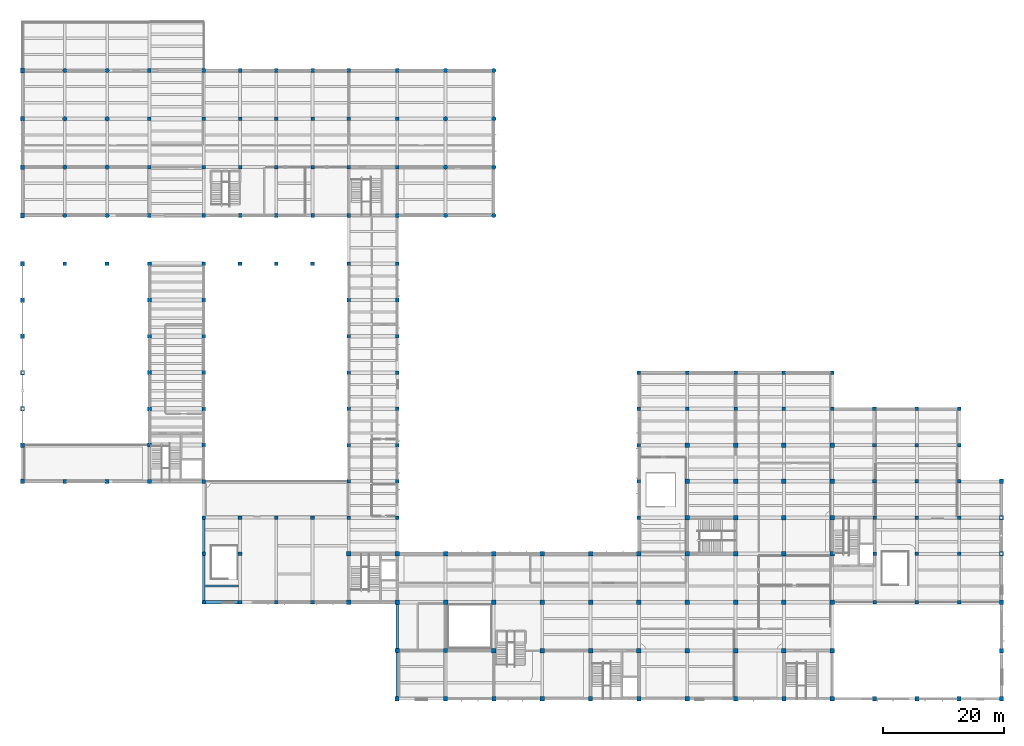
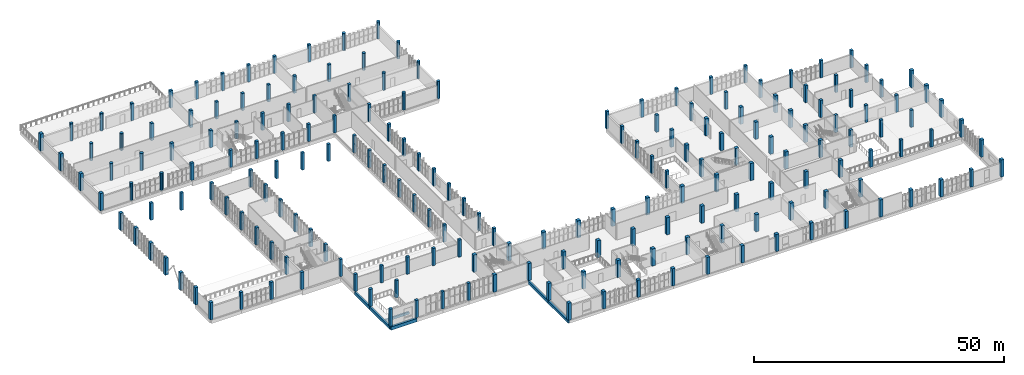
# One storey, part 1 of 85: 196 columns, 6 beams.
"""IFC4 building model written with IfcOpenShell, lengths in metres."""

import ifcopenshell
import ifcopenshell.guid

model = None  # the IFC model being written
_history = None  # IfcOwnerHistory: only IFC2X3 demands one
_inside = {}  # id of a spatial element -> (the spatial element, [elements in it])
_under = {}  # id of a project, library or spatial element -> (it, [spatial elements below it])
_declared = {}  # id of a project -> (the project, [libraries it declares])
_typed = {}  # id of a type object -> (the type object, [elements of that type])
_made_of = {}  # id of a material, layer set ... -> (it, [elements and type objects made of it])


def new_model(schema):
    """Start an empty IFC model of exactly this schema.

    Asked for "IFC4X3", IfcOpenShell would pick the latest addendum, in which some entities
    have other attributes; the version numbers below select the first issue.
    IFC2X3 requires an IfcOwnerHistory on every rooted entity: one is made here for all.
    """
    global model, _history
    if schema == "IFC4X3":
        model = ifcopenshell.file(schema_version=(4, 3, 0, 0))
    else:
        model = ifcopenshell.file(schema=schema)
    _inside.clear()
    _under.clear()
    _declared.clear()
    _typed.clear()
    _made_of.clear()
    _history = None
    if model.schema == "IFC2X3":
        org = make("IfcOrganization", Name="unknown")
        user = make(
            "IfcPersonAndOrganization",
            ThePerson=make("IfcPerson", FamilyName="unknown"),
            TheOrganization=org,
        )
        app = make(
            "IfcApplication",
            ApplicationDeveloper=org,
            Version="unknown",
            ApplicationFullName="unknown",
            ApplicationIdentifier="unknown",
        )
        _history = make(
            "IfcOwnerHistory",
            OwningUser=user,
            OwningApplication=app,
            ChangeAction="ADDED",
            CreationDate=0,
        )
    return model


def make(cls, **values):
    """One entity of the class cls with the attributes given. An attribute that is None is left unset."""
    return model.create_entity(
        cls, **{name: value for name, value in values.items() if value is not None}
    )


def rooted(cls, **values):
    """An entity with a GlobalId (a new one), such as an element, a storey or a relation."""
    return make(cls, GlobalId=ifcopenshell.guid.new(), OwnerHistory=_history, **values)


def si_unit(unit_type, name, prefix=None):
    """IfcSIUnit, for example si_unit("LENGTHUNIT", "METRE", prefix="MILLI")."""
    return make("IfcSIUnit", UnitType=unit_type, Prefix=prefix, Name=name)


def assignment(units):
    """IfcUnitAssignment: the units of a project."""
    return None if units is None else make("IfcUnitAssignment", Units=units)


def point(xyz):
    """IfcCartesianPoint."""
    return None if xyz is None else make("IfcCartesianPoint", Coordinates=xyz)


def direction(xyz):
    """IfcDirection."""
    return None if xyz is None else make("IfcDirection", DirectionRatios=xyz)


def frame(location, z_axis=None, x_axis=None):
    """IfcAxis2Placement3D, a coordinate frame: its origin and axes. An axis left out is left unset."""
    return make(
        "IfcAxis2Placement3D",
        Location=point(location),
        Axis=direction(z_axis),
        RefDirection=direction(x_axis),
    )


def frame_2d(location, x_axis=None):
    """IfcAxis2Placement2D, a coordinate frame in the plane: its origin and x axis."""
    return make(
        "IfcAxis2Placement2D", Location=point(location), RefDirection=direction(x_axis)
    )


def origin():
    """The frame at (0, 0, 0) with its axes left unset."""
    return frame((0.0, 0.0, 0.0))


def origin_2d():
    """The frame at (0, 0) in the plane with its x axis left unset."""
    return frame_2d((0.0, 0.0))


def place(relative_to, where):
    """IfcLocalPlacement: puts the frame where relative to a parent placement (None: the world)."""
    return make(
        "IfcLocalPlacement", PlacementRelTo=relative_to, RelativePlacement=where
    )


def context(
    kind, dimensions, precision=None, world=None, true_north=None, identifier=None
):
    """IfcGeometricRepresentationContext, for example the 3D "Model" context."""
    return make(
        "IfcGeometricRepresentationContext",
        ContextIdentifier=identifier,
        ContextType=kind,
        CoordinateSpaceDimension=dimensions,
        Precision=precision,
        WorldCoordinateSystem=world,
        TrueNorth=true_north,
    )


def subcontext(parent, identifier, kind, view, scale=None):
    """IfcGeometricRepresentationSubContext, for example "Body" below "Model"."""
    return make(
        "IfcGeometricRepresentationSubContext",
        ContextIdentifier=identifier,
        ContextType=kind,
        ParentContext=parent,
        TargetScale=scale,
        TargetView=view,
    )


def project(units=None, contexts=None):
    """IfcProject with its units and contexts."""
    return rooted(
        "IfcProject",
        Name="project",
        RepresentationContexts=contexts,
        UnitsInContext=assignment(units),
    )


def spatial(cls, under=None, at=None, **own):
    """A site, building, storey or space (cls), placed at a placement, below another one or the project."""
    s = rooted(cls, ObjectPlacement=at, **own)
    if under is not None:
        _under.setdefault(under.id(), (under, []))[1].append(s)
    return s


def profile(cls, at=None, kind="AREA", **sizes):
    """A parametric profile (cls). Its sizes go by their IFC names, for example OverallWidth=200.0."""
    return make(cls, ProfileType=kind, Position=at, **sizes)


def rectangle(**sizes):
    """IfcRectangleProfileDef."""
    return profile("IfcRectangleProfileDef", **sizes)


def circle(**sizes):
    """IfcCircleProfileDef."""
    return profile("IfcCircleProfileDef", **sizes)


def extrude(swept, where, along, depth):
    """IfcExtrudedAreaSolid: the profile swept, set in the frame where, extruded along a direction by depth."""
    return make(
        "IfcExtrudedAreaSolid",
        SweptArea=swept,
        Position=where,
        ExtrudedDirection=direction(along),
        Depth=depth,
    )


def shape(context_of_items, identifier, shape_type, items):
    """IfcShapeRepresentation: the items that make up one representation, for example the "Body"."""
    return make(
        "IfcShapeRepresentation",
        ContextOfItems=context_of_items,
        RepresentationIdentifier=identifier,
        RepresentationType=shape_type,
        Items=items,
    )


def material(Name=None, Category=None):
    """IfcMaterial."""
    return make("IfcMaterial", Name=Name, Category=Category)


def material_profile(
    of_material, cross_section, Name=None, Category=None, Priority=None
):
    """IfcMaterialProfile: a cross section and its material."""
    return make(
        "IfcMaterialProfile",
        Name=Name,
        Material=of_material,
        Profile=cross_section,
        Priority=Priority,
        Category=Category,
    )


def profile_set(profiles, Name=None, composite=None):
    """IfcMaterialProfileSet."""
    return make(
        "IfcMaterialProfileSet",
        Name=Name,
        MaterialProfiles=profiles,
        CompositeProfile=composite,
    )


def made_of(thing, what):
    """Note that an element or type object is made of a material, layer set ...; save() writes the relation."""
    if what is not None:
        _made_of.setdefault(what.id(), (what, []))[1].append(thing)
    return thing


def type_object(cls, material=None, **own):
    """A type object (cls), such as IfcWallType, which elements share."""
    return made_of(rooted(cls, **own), material)


def element(
    cls,
    number,
    at=None,
    inside=None,
    cuts=None,
    type_object=None,
    material=None,
    context=None,
    identifier="Body",
    shape_type=None,
    held_by="IfcProductDefinitionShape",
    body=None,
    shapes=None,
    **own,
):
    """One element of the class cls, such as IfcWall. Its Tag is "e" and its number.

    at: its placement. inside: the storey or other place that contains it. cuts: it is an
    opening in that element (IfcRelVoidsElement). A single representation is given by context,
    identifier, shape_type and body (its items); several are given by shapes. held_by: the class
    of the entity that holds the representations. save() writes the other relations.
    """
    e = rooted(cls, Tag="e%d" % number, ObjectPlacement=at, **own)
    if body is not None:
        shapes = [shape(context, identifier, shape_type, body)]
    if shapes is not None:
        e.Representation = make(held_by, Representations=shapes)
    if inside is not None:
        _inside.setdefault(inside.id(), (inside, []))[1].append(e)
    if cuts is not None:
        rooted(
            "IfcRelVoidsElement", RelatingBuildingElement=cuts, RelatedOpeningElement=e
        )
    if type_object is not None:
        _typed.setdefault(type_object.id(), (type_object, []))[1].append(e)
    return made_of(e, material)


def aggregate(whole, parts):
    """IfcRelAggregates: a whole, such as a stair, and the parts it consists of."""
    return rooted("IfcRelAggregates", RelatingObject=whole, RelatedObjects=parts)


def save(model, path):
    """Write the relations noted so far, then the file.

    IfcRelAggregates (storeys below a building ...), IfcRelContainedInSpatialStructure (elements
    in a storey), IfcRelDefinesByType, IfcRelAssociatesMaterial and IfcRelDeclares: one each for
    every whole, place, type object, material and project.
    """
    for whole, parts in _under.values():
        aggregate(whole, parts)
    for where, things in _inside.values():
        rooted(
            "IfcRelContainedInSpatialStructure",
            RelatedElements=things,
            RelatingStructure=where,
        )
    for kind, things in _typed.values():
        rooted("IfcRelDefinesByType", RelatedObjects=things, RelatingType=kind)
    for what, things in _made_of.values():
        rooted("IfcRelAssociatesMaterial", RelatedObjects=things, RelatingMaterial=what)
    for by, libraries in _declared.values():
        rooted("IfcRelDeclares", RelatingContext=by, RelatedDefinitions=libraries)
    model.write(path)


model = new_model("IFC4")

# Units and contexts
model_context = context("Model", 3, precision=1e-05, world=origin(), true_north=direction((0.0, 1.0)))
body_context = subcontext(model_context, "Body", "Model", "MODEL_VIEW")
ifc_project = project(units=[si_unit("LENGTHUNIT", "METRE"), si_unit("AREAUNIT", "SQUARE_METRE"), si_unit("VOLUMEUNIT", "CUBIC_METRE"), si_unit("PLANEANGLEUNIT", "RADIAN"), si_unit("MASSUNIT", "GRAM", prefix="KILO")], contexts=[model_context])

# Site, building, storey
site_placement = place(None, origin())
site = spatial("IfcSite", under=ifc_project, at=site_placement, CompositionType="ELEMENT")
building_placement = place(site_placement, origin())
building = spatial("IfcBuilding", under=site, at=building_placement, Name="Solvane Community Centre", CompositionType="ELEMENT")
storey_placement = place(building_placement, frame((0.0, 0.0, 5.39990234375)))
storey = spatial("IfcBuildingStorey", under=building, at=storey_placement, Name="L01", CompositionType="ELEMENT", Elevation=5.39990234375)

# Columns
ifc_material_1 = material(Name="Precast concrete C35/45", Category="concrete")
ifc_material_profile_1 = material_profile(ifc_material_1, rectangle(XDim=0.679931640625, YDim=0.760009765625, at=origin_2d()), Name="RC 680x760")
ifc_profile_set_1 = profile_set([ifc_material_profile_1], Name="Precast concrete C35/45")
column_type_1 = type_object("IfcColumnType", Name="Art Deco Podium Pilaster 680x760", PredefinedType="PILASTER", material=ifc_profile_set_1)
for number, where, z_axis, x_axis, name in (
    (1, (6.0, 42.0, 0.0), (0.0, 0.0, 1.0), (1.0, 0.0, 0.0), "Column COL-L01-1-F"),
    (2, (6.0, 48.0, 0.0), (0.0, 0.0, 1.0), (1.0, 0.0, 0.0), "Column COL-L01-1-G"),
    (3, (6.0, 54.0, 0.0), (0.0, 0.0, 1.0), (1.0, 0.0, 0.0), "Column COL-L01-1-H"),
    (4, (6.0, 60.0, 0.0), (0.0, 0.0, 1.0), (1.0, 0.0, 0.0), "Column COL-L01-1-J"),
    (5, (6.0, 66.0, 0.0), (0.0, 0.0, 1.0), (1.0, 0.0, 0.0), "Column COL-L01-1-K"),
    (6, (6.0, 72.0, 0.0), (0.0, 0.0, 1.0), (1.0, 0.0, 0.0), "Column COL-L01-1-L"),
    (7, (6.0, 78.0, 0.0), (0.0, 0.0, 1.0), (1.0, 0.0, 0.0), "Column COL-L01-1-M"),
    (8, (6.0, 86.0, 0.0), (0.0, 0.0, 1.0), (1.0, 0.0, 0.0), "Column COL-L01-1-N"),
    (9, (6.0, 94.0, 0.0), (0.0, 0.0, 1.0), (1.0, 0.0, 0.0), "Column COL-L01-1-P"),
    (10, (6.0, 102.0, 0.0), (0.0, 0.0, 1.0), (1.0, 0.0, 0.0), "Column COL-L01-1-Q"),
    (11, (6.0, 110.0, 0.0), (0.0, 0.0, 1.0), (1.0, 0.0, 0.0), "Column COL-L01-1-R"),
    (12, (68.0, 6.0, 0.0), (0.0, 0.0, 1.0), (1.0, 0.0, 0.0), "Column COL-L01-11-A"),
    (13, (76.0, 6.0, 0.0), (0.0, 0.0, 1.0), (1.0, 0.0, 0.0), "Column COL-L01-12-A"),
    (14, (84.0, 6.0, 0.0), (0.0, 0.0, 1.0), (1.0, 0.0, 0.0), "Column COL-L01-13-A"),
    (15, (92.0, 6.0, 0.0), (0.0, 0.0, 1.0), (1.0, 0.0, 0.0), "Column COL-L01-14-A"),
    (16, (100.0, 6.0, 0.0), (0.0, 0.0, 1.0), (1.0, 0.0, 0.0), "Column COL-L01-15-A"),
    (17, (108.0, 6.0, 0.0), (0.0, 0.0, 1.0), (1.0, 0.0, 0.0), "Column COL-L01-16-A"),
    (18, (116.0, 6.0, 0.0), (0.0, 0.0, 1.0), (1.0, 0.0, 0.0), "Column COL-L01-17-A"),
    (19, (124.0, 6.0, 0.0), (0.0, 0.0, 1.0), (1.0, 0.0, 0.0), "Column COL-L01-18-A"),
    (20, (132.0, 6.0, 0.0), (0.0, 0.0, 1.0), (1.0, 0.0, 0.0), "Column COL-L01-19-A"),
    (21, (140.0, 6.0, 0.0), (0.0, 0.0, 1.0), (1.0, 0.0, 0.0), "Column COL-L01-20-A"),
    (22, (147.0, 6.0, 0.0), (0.0, 0.0, 1.0), (1.0, 0.0, 0.0), "Column COL-L01-21-A"),
    (23, (154.0, 6.0, 0.0), (0.0, 0.0, 1.0), (1.0, 0.0, 0.0), "Column COL-L01-22-A"),
    (24, (161.0, 6.0, 0.0), (0.0, 0.0, 1.0), (1.0, 0.0, 0.0), "Column COL-L01-23-A"),
    (25, (168.0, 6.0, 0.0), (0.0, 0.0, 1.0), (1.0, 0.0, 0.0), "Column COL-L01-24-A"),
    (26, (168.0, 14.0, 0.0), (0.0, 0.0, 1.0), (1.0, 0.0, 0.0), "Column COL-L01-24-B"),
    (27, (168.0, 22.0, 0.0), (0.0, 0.0, 1.0), (1.0, 0.0, 0.0), "Column COL-L01-24-C"),
    (28, (168.0, 30.0, 0.0), (0.0, 0.0, 1.0), (1.0, 0.0, 0.0), "Column COL-L01-24-D"),
    (29, (168.0, 36.0, 0.0), (0.0, 0.0, 1.0), (1.0, 0.0, 0.0), "Column COL-L01-24-E"),
    (30, (168.0, 42.0, 0.0), (0.0, 0.0, 1.0), (1.0, 0.0, 0.0), "Column COL-L01-24-F"),
):
    element("IfcColumn", number, at=place(storey_placement, frame(where, z_axis=z_axis, x_axis=x_axis)), inside=storey, type_object=column_type_1, Name=name, PredefinedType="PILASTER", context=body_context, shape_type="SweptSolid", body=[
        extrude(rectangle(XDim=0.679931640625, YDim=0.760009765625, at=origin_2d()), origin(), (0.0, 0.0, 1.0), 4.2001953125),
    ])
ifc_material_2 = material(Name="Concrete C35/45", Category="concrete")
ifc_material_profile_2 = material_profile(ifc_material_2, circle(Radius=0.360107421875, at=origin_2d()), Name="RC D720")
ifc_profile_set_2 = profile_set([ifc_material_profile_2], Name="Concrete C35/45")
column_type_2 = type_object("IfcColumnType", Name="Cloister Circular Column D720", PredefinedType="COLUMN", material=ifc_profile_set_2)
for number, where, z_axis, x_axis, name in (
    (31, (13.0, 86.0, 0.0), (0.0, 0.0, 1.0), (1.0, 0.0, 0.0), "Column COL-L01-2-N"),
    (32, (13.0, 94.0, 0.0), (0.0, 0.0, 1.0), (1.0, 0.0, 0.0), "Column COL-L01-2-P"),
    (33, (13.0, 102.0, 0.0), (0.0, 0.0, 1.0), (1.0, 0.0, 0.0), "Column COL-L01-2-Q"),
    (34, (13.0, 110.0, 0.0), (0.0, 0.0, 1.0), (1.0, 0.0, 0.0), "Column COL-L01-2-R"),
    (35, (20.0, 86.0, 0.0), (0.0, 0.0, 1.0), (1.0, 0.0, 0.0), "Column COL-L01-4-N"),
    (36, (20.0, 94.0, 0.0), (0.0, 0.0, 1.0), (1.0, 0.0, 0.0), "Column COL-L01-4-P"),
    (37, (20.0, 102.0, 0.0), (0.0, 0.0, 1.0), (1.0, 0.0, 0.0), "Column COL-L01-4-Q"),
    (38, (20.0, 110.0, 0.0), (0.0, 0.0, 1.0), (1.0, 0.0, 0.0), "Column COL-L01-4-R"),
    (39, (76.0, 86.0, 0.0), (0.0, 0.0, 1.0), (1.0, 0.0, 0.0), "Column COL-L01-12-N"),
    (40, (76.0, 94.0, 0.0), (0.0, 0.0, 1.0), (1.0, 0.0, 0.0), "Column COL-L01-12-P"),
    (41, (76.0, 102.0, 0.0), (0.0, 0.0, 1.0), (1.0, 0.0, 0.0), "Column COL-L01-12-Q"),
    (42, (76.0, 110.0, 0.0), (0.0, 0.0, 1.0), (1.0, 0.0, 0.0), "Column COL-L01-12-R"),
    (43, (84.0, 86.0, 0.0), (0.0, 0.0, 1.0), (1.0, 0.0, 0.0), "Column COL-L01-13-N"),
    (44, (84.0, 94.0, 0.0), (0.0, 0.0, 1.0), (1.0, 0.0, 0.0), "Column COL-L01-13-P"),
    (45, (84.0, 102.0, 0.0), (0.0, 0.0, 1.0), (1.0, 0.0, 0.0), "Column COL-L01-13-Q"),
    (46, (84.0, 110.0, 0.0), (0.0, 0.0, 1.0), (1.0, 0.0, 0.0), "Column COL-L01-13-R"),
):
    element("IfcColumn", number, at=place(storey_placement, frame(where, z_axis=z_axis, x_axis=x_axis)), inside=storey, type_object=column_type_2, Name=name, PredefinedType="COLUMN", context=body_context, shape_type="SweptSolid", body=[
        extrude(circle(Radius=0.360107421875, at=origin_2d()), origin(), (0.0, 0.0, 1.0), 4.2001953125),
    ])
ifc_material_profile_3 = material_profile(ifc_material_2, rectangle(XDim=0.60009765625, YDim=0.60009765625, at=origin_2d()), Name="RC 600x600")
ifc_profile_set_3 = profile_set([ifc_material_profile_3], Name="Concrete C35/45")
column_type_3 = type_object("IfcColumnType", Name="RC Column 600x600", PredefinedType="COLUMN", material=ifc_profile_set_3)
for number, where, z_axis, x_axis, name in (
    (47, (27.0, 86.0, 0.0), (0.0, 0.0, 1.0), (1.0, 0.0, 0.0), "Column COL-L01-5-N"),
    (48, (27.0, 94.0, 0.0), (0.0, 0.0, 1.0), (1.0, 0.0, 0.0), "Column COL-L01-5-P"),
    (49, (27.0, 102.0, 0.0), (0.0, 0.0, 1.0), (1.0, 0.0, 0.0), "Column COL-L01-5-Q"),
    (50, (27.0, 110.0, 0.0), (0.0, 0.0, 1.0), (1.0, 0.0, 0.0), "Column COL-L01-5-R"),
    (51, (36.0, 86.0, 0.0), (0.0, 0.0, 1.0), (1.0, 0.0, 0.0), "Column COL-L01-6-N"),
    (52, (36.0, 94.0, 0.0), (0.0, 0.0, 1.0), (1.0, 0.0, 0.0), "Column COL-L01-6-P"),
    (53, (36.0, 102.0, 0.0), (0.0, 0.0, 1.0), (1.0, 0.0, 0.0), "Column COL-L01-6-Q"),
    (54, (36.0, 110.0, 0.0), (0.0, 0.0, 1.0), (1.0, 0.0, 0.0), "Column COL-L01-6-R"),
    (55, (42.0, 86.0, 0.0), (0.0, 0.0, 1.0), (1.0, 0.0, 0.0), "Column COL-L01-7-N"),
    (56, (42.0, 94.0, 0.0), (0.0, 0.0, 1.0), (1.0, 0.0, 0.0), "Column COL-L01-7-P"),
    (57, (42.0, 102.0, 0.0), (0.0, 0.0, 1.0), (1.0, 0.0, 0.0), "Column COL-L01-7-Q"),
    (58, (42.0, 110.0, 0.0), (0.0, 0.0, 1.0), (1.0, 0.0, 0.0), "Column COL-L01-7-R"),
    (59, (48.0, 86.0, 0.0), (0.0, 0.0, 1.0), (1.0, 0.0, 0.0), "Column COL-L01-8-N"),
    (60, (48.0, 94.0, 0.0), (0.0, 0.0, 1.0), (1.0, 0.0, 0.0), "Column COL-L01-8-P"),
    (61, (48.0, 102.0, 0.0), (0.0, 0.0, 1.0), (1.0, 0.0, 0.0), "Column COL-L01-8-Q"),
    (62, (48.0, 110.0, 0.0), (0.0, 0.0, 1.0), (1.0, 0.0, 0.0), "Column COL-L01-8-R"),
    (63, (54.0, 86.0, 0.0), (0.0, 0.0, 1.0), (1.0, 0.0, 0.0), "Column COL-L01-9-N"),
    (64, (54.0, 94.0, 0.0), (0.0, 0.0, 1.0), (1.0, 0.0, 0.0), "Column COL-L01-9-P"),
    (65, (54.0, 102.0, 0.0), (0.0, 0.0, 1.0), (1.0, 0.0, 0.0), "Column COL-L01-9-Q"),
    (66, (54.0, 110.0, 0.0), (0.0, 0.0, 1.0), (1.0, 0.0, 0.0), "Column COL-L01-9-R"),
    (67, (60.0, 86.0, 0.0), (0.0, 0.0, 1.0), (1.0, 0.0, 0.0), "Column COL-L01-10-N"),
    (68, (60.0, 94.0, 0.0), (0.0, 0.0, 1.0), (1.0, 0.0, 0.0), "Column COL-L01-10-P"),
    (69, (60.0, 102.0, 0.0), (0.0, 0.0, 1.0), (1.0, 0.0, 0.0), "Column COL-L01-10-Q"),
    (70, (60.0, 110.0, 0.0), (0.0, 0.0, 1.0), (1.0, 0.0, 0.0), "Column COL-L01-10-R"),
    (71, (68.0, 86.0, 0.0), (0.0, 0.0, 1.0), (1.0, 0.0, 0.0), "Column COL-L01-11-N"),
    (72, (68.0, 94.0, 0.0), (0.0, 0.0, 1.0), (1.0, 0.0, 0.0), "Column COL-L01-11-P"),
    (73, (68.0, 102.0, 0.0), (0.0, 0.0, 1.0), (1.0, 0.0, 0.0), "Column COL-L01-11-Q"),
    (74, (68.0, 110.0, 0.0), (0.0, 0.0, 1.0), (1.0, 0.0, 0.0), "Column COL-L01-11-R"),
    (75, (116.0, 54.0, 0.0), (0.0, 0.0, 1.0), (1.0, 0.0, 0.0), "Column COL-L01-17-H"),
    (76, (116.0, 60.0, 0.0), (0.0, 0.0, 1.0), (1.0, 0.0, 0.0), "Column COL-L01-17-J"),
    (77, (124.0, 54.0, 0.0), (0.0, 0.0, 1.0), (1.0, 0.0, 0.0), "Column COL-L01-18-H"),
    (78, (124.0, 60.0, 0.0), (0.0, 0.0, 1.0), (1.0, 0.0, 0.0), "Column COL-L01-18-J"),
    (79, (132.0, 54.0, 0.0), (0.0, 0.0, 1.0), (1.0, 0.0, 0.0), "Column COL-L01-19-H"),
    (80, (132.0, 60.0, 0.0), (0.0, 0.0, 1.0), (1.0, 0.0, 0.0), "Column COL-L01-19-J"),
    (81, (140.0, 54.0, 0.0), (0.0, 0.0, 1.0), (1.0, 0.0, 0.0), "Column COL-L01-20-H"),
    (82, (140.0, 60.0, 0.0), (0.0, 0.0, 1.0), (1.0, 0.0, 0.0), "Column COL-L01-20-J"),
    (83, (147.0, 22.0, 0.0), (0.0, 0.0, 1.0), (1.0, 0.0, 0.0), "Column COL-L01-21-C"),
    (84, (147.0, 30.0, 0.0), (0.0, 0.0, 1.0), (1.0, 0.0, 0.0), "Column COL-L01-21-D"),
    (85, (147.0, 36.0, 0.0), (0.0, 0.0, 1.0), (1.0, 0.0, 0.0), "Column COL-L01-21-E"),
    (86, (154.0, 22.0, 0.0), (0.0, 0.0, 1.0), (1.0, 0.0, 0.0), "Column COL-L01-22-C"),
    (87, (154.0, 30.0, 0.0), (0.0, 0.0, 1.0), (1.0, 0.0, 0.0), "Column COL-L01-22-D"),
    (88, (154.0, 36.0, 0.0), (0.0, 0.0, 1.0), (1.0, 0.0, 0.0), "Column COL-L01-22-E"),
    (89, (161.0, 22.0, 0.0), (0.0, 0.0, 1.0), (1.0, 0.0, 0.0), "Column COL-L01-23-C"),
    (90, (161.0, 30.0, 0.0), (0.0, 0.0, 1.0), (1.0, 0.0, 0.0), "Column COL-L01-23-D"),
    (91, (161.0, 36.0, 0.0), (0.0, 0.0, 1.0), (1.0, 0.0, 0.0), "Column COL-L01-23-E"),
):
    element("IfcColumn", number, at=place(storey_placement, frame(where, z_axis=z_axis, x_axis=x_axis)), inside=storey, type_object=column_type_3, Name=name, PredefinedType="COLUMN", context=body_context, shape_type="SweptSolid", body=[
        extrude(rectangle(XDim=0.60009765625, YDim=0.60009765625, at=origin_2d()), origin(), (0.0, 0.0, 1.0), 4.2001953125),
    ])
ifc_material_profile_4 = material_profile(ifc_material_2, rectangle(XDim=0.610107421875, YDim=0.610107421875, at=origin_2d()), Name="RC 610x610")
ifc_profile_set_4 = profile_set([ifc_material_profile_4], Name="Concrete C35/45")
column_type_4 = type_object("IfcColumnType", Name="RC Column 610x610", PredefinedType="COLUMN", material=ifc_profile_set_4)
for number, where, z_axis, x_axis, name in (
    (92, (36.0, 22.0, 0.0), (0.0, 0.0, 1.0), (1.0, 0.0, 0.0), "Column COL-L01-6-C"),
    (93, (36.0, 30.0, 0.0), (0.0, 0.0, 1.0), (1.0, 0.0, 0.0), "Column COL-L01-6-D"),
    (94, (36.0, 36.0, 0.0), (0.0, 0.0, 1.0), (1.0, 0.0, 0.0), "Column COL-L01-6-E"),
    (95, (42.0, 22.0, 0.0), (0.0, 0.0, 1.0), (1.0, 0.0, 0.0), "Column COL-L01-7-C"),
    (96, (42.0, 30.0, 0.0), (0.0, 0.0, 1.0), (1.0, 0.0, 0.0), "Column COL-L01-7-D"),
    (97, (42.0, 36.0, 0.0), (0.0, 0.0, 1.0), (1.0, 0.0, 0.0), "Column COL-L01-7-E"),
    (98, (42.0, 78.0, 0.0), (0.0, 0.0, 1.0), (1.0, 0.0, 0.0), "Column COL-L01-7-M"),
    (99, (48.0, 22.0, 0.0), (0.0, 0.0, 1.0), (1.0, 0.0, 0.0), "Column COL-L01-8-C"),
    (100, (48.0, 36.0, 0.0), (0.0, 0.0, 1.0), (1.0, 0.0, 0.0), "Column COL-L01-8-E"),
    (101, (48.0, 78.0, 0.0), (0.0, 0.0, 1.0), (1.0, 0.0, 0.0), "Column COL-L01-8-M"),
    (102, (54.0, 22.0, 0.0), (0.0, 0.0, 1.0), (1.0, 0.0, 0.0), "Column COL-L01-9-C"),
    (103, (54.0, 36.0, 0.0), (0.0, 0.0, 1.0), (1.0, 0.0, 0.0), "Column COL-L01-9-E"),
    (104, (54.0, 78.0, 0.0), (0.0, 0.0, 1.0), (1.0, 0.0, 0.0), "Column COL-L01-9-M"),
    (105, (60.0, 36.0, 0.0), (0.0, 0.0, 1.0), (1.0, 0.0, 0.0), "Column COL-L01-10-E"),
    (106, (60.0, 42.0, 0.0), (0.0, 0.0, 1.0), (1.0, 0.0, 0.0), "Column COL-L01-10-F"),
    (107, (60.0, 48.0, 0.0), (0.0, 0.0, 1.0), (1.0, 0.0, 0.0), "Column COL-L01-10-G"),
    (108, (60.0, 54.0, 0.0), (0.0, 0.0, 1.0), (1.0, 0.0, 0.0), "Column COL-L01-10-H"),
    (109, (60.0, 60.0, 0.0), (0.0, 0.0, 1.0), (1.0, 0.0, 0.0), "Column COL-L01-10-J"),
    (110, (60.0, 66.0, 0.0), (0.0, 0.0, 1.0), (1.0, 0.0, 0.0), "Column COL-L01-10-K"),
    (111, (60.0, 72.0, 0.0), (0.0, 0.0, 1.0), (1.0, 0.0, 0.0), "Column COL-L01-10-L"),
    (112, (60.0, 78.0, 0.0), (0.0, 0.0, 1.0), (1.0, 0.0, 0.0), "Column COL-L01-10-M"),
    (113, (68.0, 36.0, 0.0), (0.0, 0.0, 1.0), (1.0, 0.0, 0.0), "Column COL-L01-11-E"),
    (114, (68.0, 42.0, 0.0), (0.0, 0.0, 1.0), (1.0, 0.0, 0.0), "Column COL-L01-11-F"),
    (115, (68.0, 48.0, 0.0), (0.0, 0.0, 1.0), (1.0, 0.0, 0.0), "Column COL-L01-11-G"),
    (116, (68.0, 54.0, 0.0), (0.0, 0.0, 1.0), (1.0, 0.0, 0.0), "Column COL-L01-11-H"),
    (117, (68.0, 60.0, 0.0), (0.0, 0.0, 1.0), (1.0, 0.0, 0.0), "Column COL-L01-11-J"),
    (118, (68.0, 66.0, 0.0), (0.0, 0.0, 1.0), (1.0, 0.0, 0.0), "Column COL-L01-11-K"),
    (119, (68.0, 72.0, 0.0), (0.0, 0.0, 1.0), (1.0, 0.0, 0.0), "Column COL-L01-11-L"),
    (120, (68.0, 78.0, 0.0), (0.0, 0.0, 1.0), (1.0, 0.0, 0.0), "Column COL-L01-11-M"),
    (121, (108.0, 36.0, 0.0), (0.0, 0.0, 1.0), (1.0, 0.0, 0.0), "Column COL-L01-16-E"),
    (122, (108.0, 42.0, 0.0), (0.0, 0.0, 1.0), (1.0, 0.0, 0.0), "Column COL-L01-16-F"),
    (123, (108.0, 48.0, 0.0), (0.0, 0.0, 1.0), (1.0, 0.0, 0.0), "Column COL-L01-16-G"),
    (124, (108.0, 54.0, 0.0), (0.0, 0.0, 1.0), (1.0, 0.0, 0.0), "Column COL-L01-16-H"),
    (125, (108.0, 60.0, 0.0), (0.0, 0.0, 1.0), (1.0, 0.0, 0.0), "Column COL-L01-16-J"),
    (126, (147.0, 42.0, 0.0), (0.0, 0.0, 1.0), (1.0, 0.0, 0.0), "Column COL-L01-21-F"),
    (127, (147.0, 48.0, 0.0), (0.0, 0.0, 1.0), (1.0, 0.0, 0.0), "Column COL-L01-21-G"),
    (128, (147.0, 54.0, 0.0), (0.0, 0.0, 1.0), (1.0, 0.0, 0.0), "Column COL-L01-21-H"),
    (129, (154.0, 42.0, 0.0), (0.0, 0.0, 1.0), (1.0, 0.0, 0.0), "Column COL-L01-22-F"),
    (130, (154.0, 48.0, 0.0), (0.0, 0.0, 1.0), (1.0, 0.0, 0.0), "Column COL-L01-22-G"),
    (131, (154.0, 54.0, 0.0), (0.0, 0.0, 1.0), (1.0, 0.0, 0.0), "Column COL-L01-22-H"),
    (132, (161.0, 42.0, 0.0), (0.0, 0.0, 1.0), (1.0, 0.0, 0.0), "Column COL-L01-23-F"),
    (133, (161.0, 48.0, 0.0), (0.0, 0.0, 1.0), (1.0, 0.0, 0.0), "Column COL-L01-23-G"),
    (134, (161.0, 54.0, 0.0), (0.0, 0.0, 1.0), (1.0, 0.0, 0.0), "Column COL-L01-23-H"),
):
    element("IfcColumn", number, at=place(storey_placement, frame(where, z_axis=z_axis, x_axis=x_axis)), inside=storey, type_object=column_type_4, Name=name, PredefinedType="COLUMN", context=body_context, shape_type="SweptSolid", body=[
        extrude(rectangle(XDim=0.610107421875, YDim=0.610107421875, at=origin_2d()), origin(), (0.0, 0.0, 1.0), 4.2001953125),
    ])
ifc_material_profile_5 = material_profile(ifc_material_2, rectangle(XDim=0.6298828125, YDim=0.6298828125, at=origin_2d()), Name="RC 630x630")
ifc_profile_set_5 = profile_set([ifc_material_profile_5], Name="Concrete C35/45")
column_type_5 = type_object("IfcColumnType", Name="RC Column 630x630", PredefinedType="COLUMN", material=ifc_profile_set_5)
for number, where, z_axis, x_axis, name in (
    (135, (13.0, 42.0, 0.0), (0.0, 0.0, 1.0), (1.0, 0.0, 0.0), "Column COL-L01-2-F"),
    (136, (13.0, 78.0, 0.0), (0.0, 0.0, 1.0), (1.0, 0.0, 0.0), "Column COL-L01-2-M"),
    (137, (20.0, 42.0, 0.0), (0.0, 0.0, 1.0), (1.0, 0.0, 0.0), "Column COL-L01-4-F"),
    (138, (20.0, 78.0, 0.0), (0.0, 0.0, 1.0), (1.0, 0.0, 0.0), "Column COL-L01-4-M"),
    (139, (27.0, 42.0, 0.0), (0.0, 0.0, 1.0), (1.0, 0.0, 0.0), "Column COL-L01-5-F"),
    (140, (27.0, 48.0, 0.0), (0.0, 0.0, 1.0), (1.0, 0.0, 0.0), "Column COL-L01-5-G"),
    (141, (27.0, 54.0, 0.0), (0.0, 0.0, 1.0), (1.0, 0.0, 0.0), "Column COL-L01-5-H"),
    (142, (27.0, 60.0, 0.0), (0.0, 0.0, 1.0), (1.0, 0.0, 0.0), "Column COL-L01-5-J"),
    (143, (27.0, 66.0, 0.0), (0.0, 0.0, 1.0), (1.0, 0.0, 0.0), "Column COL-L01-5-K"),
    (144, (27.0, 72.0, 0.0), (0.0, 0.0, 1.0), (1.0, 0.0, 0.0), "Column COL-L01-5-L"),
    (145, (27.0, 78.0, 0.0), (0.0, 0.0, 1.0), (1.0, 0.0, 0.0), "Column COL-L01-5-M"),
    (146, (36.0, 42.0, 0.0), (0.0, 0.0, 1.0), (1.0, 0.0, 0.0), "Column COL-L01-6-F"),
    (147, (36.0, 48.0, 0.0), (0.0, 0.0, 1.0), (1.0, 0.0, 0.0), "Column COL-L01-6-G"),
    (148, (36.0, 54.0, 0.0), (0.0, 0.0, 1.0), (1.0, 0.0, 0.0), "Column COL-L01-6-H"),
    (149, (36.0, 60.0, 0.0), (0.0, 0.0, 1.0), (1.0, 0.0, 0.0), "Column COL-L01-6-J"),
    (150, (36.0, 66.0, 0.0), (0.0, 0.0, 1.0), (1.0, 0.0, 0.0), "Column COL-L01-6-K"),
    (151, (36.0, 72.0, 0.0), (0.0, 0.0, 1.0), (1.0, 0.0, 0.0), "Column COL-L01-6-L"),
    (152, (36.0, 78.0, 0.0), (0.0, 0.0, 1.0), (1.0, 0.0, 0.0), "Column COL-L01-6-M"),
):
    element("IfcColumn", number, at=place(storey_placement, frame(where, z_axis=z_axis, x_axis=x_axis)), inside=storey, type_object=column_type_5, Name=name, PredefinedType="COLUMN", context=body_context, shape_type="SweptSolid", body=[
        extrude(rectangle(XDim=0.6298828125, YDim=0.6298828125, at=origin_2d()), origin(), (0.0, 0.0, 1.0), 4.2001953125),
    ])
ifc_material_profile_6 = material_profile(ifc_material_2, rectangle(XDim=0.719970703125, YDim=0.719970703125, at=origin_2d()), Name="RC 720x720")
ifc_profile_set_6 = profile_set([ifc_material_profile_6], Name="Concrete C35/45")
column_type_6 = type_object("IfcColumnType", Name="RC Column 720x720", PredefinedType="COLUMN", material=ifc_profile_set_6)
for number, where, z_axis, x_axis, name in (
    (153, (68.0, 14.0, 0.0), (0.0, 0.0, 1.0), (1.0, 0.0, 0.0), "Column COL-L01-11-B"),
    (154, (76.0, 14.0, 0.0), (0.0, 0.0, 1.0), (1.0, 0.0, 0.0), "Column COL-L01-12-B"),
    (155, (116.0, 36.0, 0.0), (0.0, 0.0, 1.0), (1.0, 0.0, 0.0), "Column COL-L01-17-E"),
    (156, (116.0, 42.0, 0.0), (0.0, 0.0, 1.0), (1.0, 0.0, 0.0), "Column COL-L01-17-F"),
    (157, (116.0, 48.0, 0.0), (0.0, 0.0, 1.0), (1.0, 0.0, 0.0), "Column COL-L01-17-G"),
    (158, (124.0, 36.0, 0.0), (0.0, 0.0, 1.0), (1.0, 0.0, 0.0), "Column COL-L01-18-E"),
    (159, (124.0, 42.0, 0.0), (0.0, 0.0, 1.0), (1.0, 0.0, 0.0), "Column COL-L01-18-F"),
    (160, (124.0, 48.0, 0.0), (0.0, 0.0, 1.0), (1.0, 0.0, 0.0), "Column COL-L01-18-G"),
    (161, (132.0, 36.0, 0.0), (0.0, 0.0, 1.0), (1.0, 0.0, 0.0), "Column COL-L01-19-E"),
    (162, (132.0, 42.0, 0.0), (0.0, 0.0, 1.0), (1.0, 0.0, 0.0), "Column COL-L01-19-F"),
    (163, (132.0, 48.0, 0.0), (0.0, 0.0, 1.0), (1.0, 0.0, 0.0), "Column COL-L01-19-G"),
    (164, (140.0, 36.0, 0.0), (0.0, 0.0, 1.0), (1.0, 0.0, 0.0), "Column COL-L01-20-E"),
    (165, (140.0, 42.0, 0.0), (0.0, 0.0, 1.0), (1.0, 0.0, 0.0), "Column COL-L01-20-F"),
    (166, (140.0, 48.0, 0.0), (0.0, 0.0, 1.0), (1.0, 0.0, 0.0), "Column COL-L01-20-G"),
):
    element("IfcColumn", number, at=place(storey_placement, frame(where, z_axis=z_axis, x_axis=x_axis)), inside=storey, type_object=column_type_6, Name=name, PredefinedType="COLUMN", context=body_context, shape_type="SweptSolid", body=[
        extrude(rectangle(XDim=0.719970703125, YDim=0.719970703125, at=origin_2d()), origin(), (0.0, 0.0, 1.0), 4.2001953125),
    ])
ifc_material_profile_7 = material_profile(ifc_material_2, rectangle(XDim=0.75, YDim=0.75, at=origin_2d()), Name="RC 750x750")
ifc_profile_set_7 = profile_set([ifc_material_profile_7], Name="Concrete C35/45")
column_type_7 = type_object("IfcColumnType", Name="RC Column 750x750", PredefinedType="COLUMN", material=ifc_profile_set_7)
for number, where, z_axis, x_axis, name in (
    (167, (60.0, 22.0, 0.0), (0.0, 0.0, 1.0), (1.0, 0.0, 0.0), "Column COL-L01-10-C"),
    (168, (60.0, 30.0, 0.0), (0.0, 0.0, 1.0), (1.0, 0.0, 0.0), "Column COL-L01-10-D"),
    (169, (68.0, 22.0, 0.0), (0.0, 0.0, 1.0), (1.0, 0.0, 0.0), "Column COL-L01-11-C"),
    (170, (68.0, 30.0, 0.0), (0.0, 0.0, 1.0), (1.0, 0.0, 0.0), "Column COL-L01-11-D"),
    (171, (76.0, 22.0, 0.0), (0.0, 0.0, 1.0), (1.0, 0.0, 0.0), "Column COL-L01-12-C"),
    (172, (76.0, 30.0, 0.0), (0.0, 0.0, 1.0), (1.0, 0.0, 0.0), "Column COL-L01-12-D"),
    (173, (84.0, 14.0, 0.0), (0.0, 0.0, 1.0), (1.0, 0.0, 0.0), "Column COL-L01-13-B"),
    (174, (84.0, 22.0, 0.0), (0.0, 0.0, 1.0), (1.0, 0.0, 0.0), "Column COL-L01-13-C"),
    (175, (84.0, 30.0, 0.0), (0.0, 0.0, 1.0), (1.0, 0.0, 0.0), "Column COL-L01-13-D"),
    (176, (92.0, 14.0, 0.0), (0.0, 0.0, 1.0), (1.0, 0.0, 0.0), "Column COL-L01-14-B"),
    (177, (92.0, 22.0, 0.0), (0.0, 0.0, 1.0), (1.0, 0.0, 0.0), "Column COL-L01-14-C"),
    (178, (92.0, 30.0, 0.0), (0.0, 0.0, 1.0), (1.0, 0.0, 0.0), "Column COL-L01-14-D"),
    (179, (100.0, 14.0, 0.0), (0.0, 0.0, 1.0), (1.0, 0.0, 0.0), "Column COL-L01-15-B"),
    (180, (100.0, 22.0, 0.0), (0.0, 0.0, 1.0), (1.0, 0.0, 0.0), "Column COL-L01-15-C"),
    (181, (100.0, 30.0, 0.0), (0.0, 0.0, 1.0), (1.0, 0.0, 0.0), "Column COL-L01-15-D"),
    (182, (108.0, 14.0, 0.0), (0.0, 0.0, 1.0), (1.0, 0.0, 0.0), "Column COL-L01-16-B"),
    (183, (108.0, 22.0, 0.0), (0.0, 0.0, 1.0), (1.0, 0.0, 0.0), "Column COL-L01-16-C"),
    (184, (108.0, 30.0, 0.0), (0.0, 0.0, 1.0), (1.0, 0.0, 0.0), "Column COL-L01-16-D"),
    (185, (116.0, 14.0, 0.0), (0.0, 0.0, 1.0), (1.0, 0.0, 0.0), "Column COL-L01-17-B"),
    (186, (116.0, 22.0, 0.0), (0.0, 0.0, 1.0), (1.0, 0.0, 0.0), "Column COL-L01-17-C"),
    (187, (116.0, 30.0, 0.0), (0.0, 0.0, 1.0), (1.0, 0.0, 0.0), "Column COL-L01-17-D"),
    (188, (124.0, 14.0, 0.0), (0.0, 0.0, 1.0), (1.0, 0.0, 0.0), "Column COL-L01-18-B"),
    (189, (124.0, 22.0, 0.0), (0.0, 0.0, 1.0), (1.0, 0.0, 0.0), "Column COL-L01-18-C"),
    (190, (124.0, 30.0, 0.0), (0.0, 0.0, 1.0), (1.0, 0.0, 0.0), "Column COL-L01-18-D"),
    (191, (132.0, 14.0, 0.0), (0.0, 0.0, 1.0), (1.0, 0.0, 0.0), "Column COL-L01-19-B"),
    (192, (132.0, 22.0, 0.0), (0.0, 0.0, 1.0), (1.0, 0.0, 0.0), "Column COL-L01-19-C"),
    (193, (132.0, 30.0, 0.0), (0.0, 0.0, 1.0), (1.0, 0.0, 0.0), "Column COL-L01-19-D"),
    (194, (140.0, 14.0, 0.0), (0.0, 0.0, 1.0), (1.0, 0.0, 0.0), "Column COL-L01-20-B"),
    (195, (140.0, 22.0, 0.0), (0.0, 0.0, 1.0), (1.0, 0.0, 0.0), "Column COL-L01-20-C"),
    (196, (140.0, 30.0, 0.0), (0.0, 0.0, 1.0), (1.0, 0.0, 0.0), "Column COL-L01-20-D"),
):
    element("IfcColumn", number, at=place(storey_placement, frame(where, z_axis=z_axis, x_axis=x_axis)), inside=storey, type_object=column_type_7, Name=name, PredefinedType="COLUMN", context=body_context, shape_type="SweptSolid", body=[
        extrude(rectangle(XDim=0.75, YDim=0.75, at=origin_2d()), origin(), (0.0, 0.0, 1.0), 4.2001953125),
    ])

# Beams
ifc_material_profile_8 = material_profile(ifc_material_2, rectangle(XDim=0.4599609375, YDim=0.719970703125, at=origin_2d()), Name="RC 460x720")
ifc_profile_set_8 = profile_set([ifc_material_profile_8], Name="Concrete C35/45")
beam_type_1 = type_object("IfcBeamType", Name="RC Cloister Beam 460x720", PredefinedType="BEAM", material=ifc_profile_set_8)
beam_1_placement = place(storey_placement, frame((36.0, 30.0, -0.599853515625), z_axis=(0.0, 1.0, 0.0), x_axis=(-1.0, 0.0, 0.0)))
element("IfcBeam", 197, at=beam_1_placement, inside=storey, type_object=beam_type_1, Name="Beam BM-L01-360_300-360_360", PredefinedType="BEAM", context=body_context, shape_type="SweptSolid", body=[
    extrude(rectangle(XDim=0.4599609375, YDim=0.719970703125, at=origin_2d()), origin(), (0.0, 0.0, 1.0), 6.0),
])
ifc_material_profile_9 = material_profile(ifc_material_2, rectangle(XDim=0.449951171875, YDim=0.699951171875, at=origin_2d()), Name="RC 450x700")
ifc_profile_set_9 = profile_set([ifc_material_profile_9], Name="Concrete C35/45")
beam_type_2 = type_object("IfcBeamType", Name="RC Floor Beam 450x700", PredefinedType="BEAM", material=ifc_profile_set_9)
for number, where, z_axis, x_axis, name in (
    (198, (36.0, 22.0, -0.58984375), (0.0, 1.0, 0.0), (-1.0, 0.0, 0.0), "Beam BM-L01-360_220-360_300"),
    (199, (68.0, 6.0, -0.58984375), (0.0, 1.0, 0.0), (-1.0, 0.0, 0.0), "Beam BM-L01-680_60-680_140"),
    (200, (68.0, 14.0, -0.58984375), (0.0, 1.0, 0.0), (-1.0, 0.0, 0.0), "Beam BM-L01-680_140-680_220"),
):
    element("IfcBeam", number, at=place(storey_placement, frame(where, z_axis=z_axis, x_axis=x_axis)), inside=storey, type_object=beam_type_2, Name=name, PredefinedType="BEAM", context=body_context, shape_type="SweptSolid", body=[
        extrude(rectangle(XDim=0.449951171875, YDim=0.699951171875, at=origin_2d()), origin(), (0.0, 0.0, 1.0), 8.0),
    ])
ifc_material_profile_10 = material_profile(ifc_material_2, rectangle(XDim=0.52001953125, YDim=0.830078125, at=origin_2d()), Name="RC 520x830")
ifc_profile_set_10 = profile_set([ifc_material_profile_10], Name="Concrete C35/45")
beam_type_3 = type_object("IfcBeamType", Name="RC Medium Girder 520x830", PredefinedType="USERDEFINED", material=ifc_profile_set_10)
beam_2_placement = place(storey_placement, frame((36.0, 22.0, -0.65478515625), z_axis=(1.0, 0.0, 0.0), x_axis=(0.0, 1.0, 0.0)))
element("IfcBeam", 201, at=beam_2_placement, inside=storey, type_object=beam_type_3, Name="Beam BM-L01-360_220-420_220", ObjectType="GIRDER", PredefinedType="USERDEFINED", context=body_context, shape_type="SweptSolid", body=[
    extrude(rectangle(XDim=0.52001953125, YDim=0.830078125, at=origin_2d()), origin(), (0.0, 0.0, 1.0), 6.0),
])
ifc_material_profile_11 = material_profile(ifc_material_2, rectangle(XDim=0.360107421875, YDim=0.56005859375, at=origin_2d()), Name="RC 360x560")
ifc_profile_set_11 = profile_set([ifc_material_profile_11], Name="Concrete C35/45")
beam_type_4 = type_object("IfcBeamType", Name="RC Terrace Joist 360x560", PredefinedType="JOIST", material=ifc_profile_set_11)
beam_3_placement = place(storey_placement, frame((36.239990234375, 24.666748046875, -0.52001953125), z_axis=(1.0, 0.0, 0.0), x_axis=(0.0, 1.0, 0.0)))
element("IfcBeam", 202, at=beam_3_placement, inside=storey, type_object=beam_type_4, Name="Beam BM-L01-362_247-418_247", PredefinedType="JOIST", context=body_context, shape_type="SweptSolid", body=[
    extrude(rectangle(XDim=0.360107421875, YDim=0.56005859375, at=origin_2d()), origin(), (0.0, 0.0, 1.0), 5.52001953125),
])

save(model, "model.ifc")
